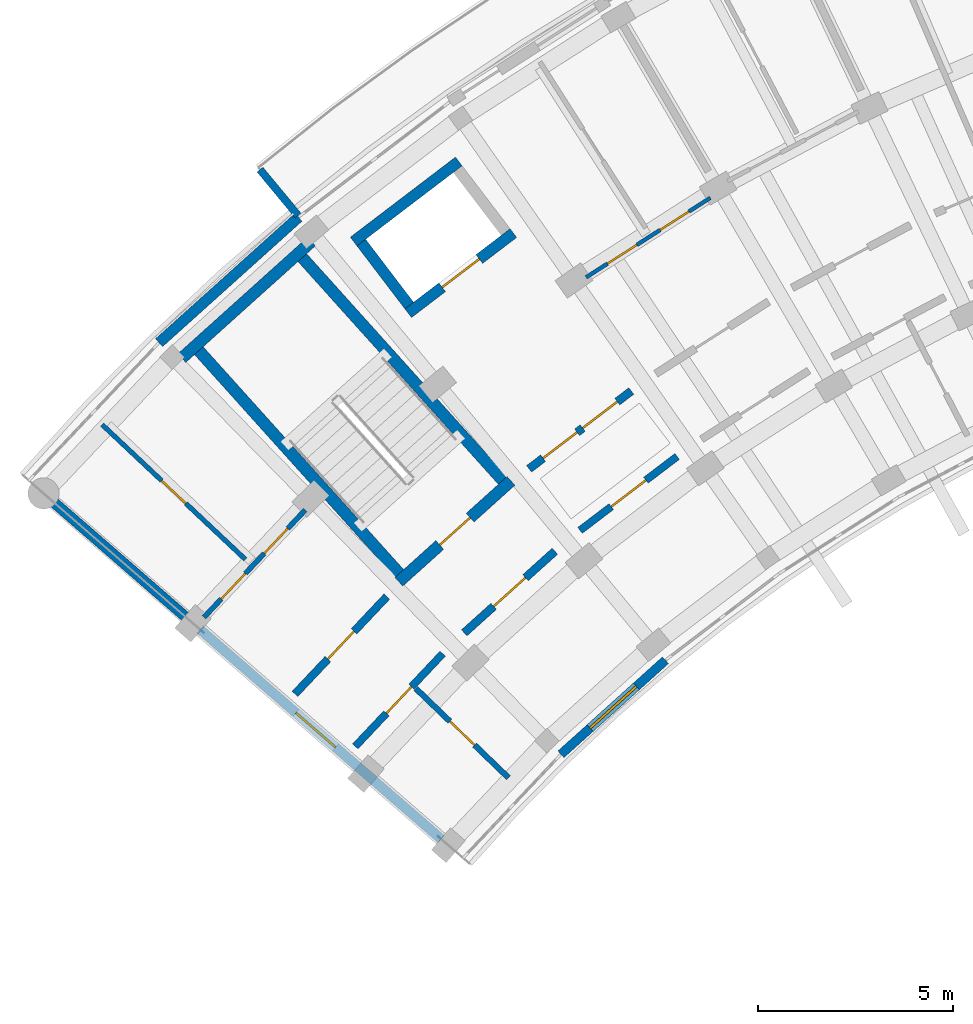
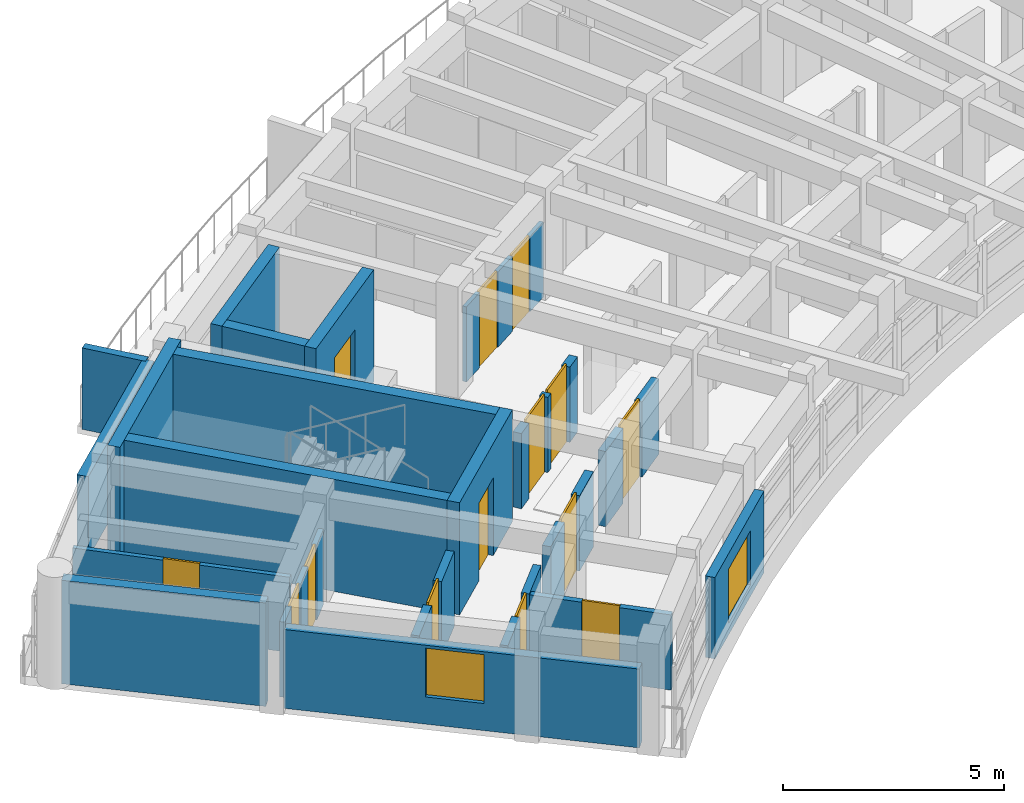
# One storey, part 27 of 54: 21 walls, 14 doors, 2 windows, 16 openings.
"""IFC4 building model written with IfcOpenShell, lengths in metres."""

import ifcopenshell
import ifcopenshell.guid

model = None  # the IFC model being written
_history = None  # IfcOwnerHistory: only IFC2X3 demands one
_inside = {}  # id of a spatial element -> (the spatial element, [elements in it])
_under = {}  # id of a project, library or spatial element -> (it, [spatial elements below it])
_declared = {}  # id of a project -> (the project, [libraries it declares])
_typed = {}  # id of a type object -> (the type object, [elements of that type])
_made_of = {}  # id of a material, layer set ... -> (it, [elements and type objects made of it])


def new_model(schema):
    """Start an empty IFC model of exactly this schema.

    Asked for "IFC4X3", IfcOpenShell would pick the latest addendum, in which some entities
    have other attributes; the version numbers below select the first issue.
    IFC2X3 requires an IfcOwnerHistory on every rooted entity: one is made here for all.
    """
    global model, _history
    if schema == "IFC4X3":
        model = ifcopenshell.file(schema_version=(4, 3, 0, 0))
    else:
        model = ifcopenshell.file(schema=schema)
    _inside.clear()
    _under.clear()
    _declared.clear()
    _typed.clear()
    _made_of.clear()
    _history = None
    if model.schema == "IFC2X3":
        org = make("IfcOrganization", Name="unknown")
        user = make(
            "IfcPersonAndOrganization",
            ThePerson=make("IfcPerson", FamilyName="unknown"),
            TheOrganization=org,
        )
        app = make(
            "IfcApplication",
            ApplicationDeveloper=org,
            Version="unknown",
            ApplicationFullName="unknown",
            ApplicationIdentifier="unknown",
        )
        _history = make(
            "IfcOwnerHistory",
            OwningUser=user,
            OwningApplication=app,
            ChangeAction="ADDED",
            CreationDate=0,
        )
    return model


def make(cls, **values):
    """One entity of the class cls with the attributes given. An attribute that is None is left unset."""
    return model.create_entity(
        cls, **{name: value for name, value in values.items() if value is not None}
    )


def rooted(cls, **values):
    """An entity with a GlobalId (a new one), such as an element, a storey or a relation."""
    return make(cls, GlobalId=ifcopenshell.guid.new(), OwnerHistory=_history, **values)


def si_unit(unit_type, name, prefix=None):
    """IfcSIUnit, for example si_unit("LENGTHUNIT", "METRE", prefix="MILLI")."""
    return make("IfcSIUnit", UnitType=unit_type, Prefix=prefix, Name=name)


def assignment(units):
    """IfcUnitAssignment: the units of a project."""
    return None if units is None else make("IfcUnitAssignment", Units=units)


def point(xyz):
    """IfcCartesianPoint."""
    return None if xyz is None else make("IfcCartesianPoint", Coordinates=xyz)


def direction(xyz):
    """IfcDirection."""
    return None if xyz is None else make("IfcDirection", DirectionRatios=xyz)


def frame(location, z_axis=None, x_axis=None):
    """IfcAxis2Placement3D, a coordinate frame: its origin and axes. An axis left out is left unset."""
    return make(
        "IfcAxis2Placement3D",
        Location=point(location),
        Axis=direction(z_axis),
        RefDirection=direction(x_axis),
    )


def frame_2d(location, x_axis=None):
    """IfcAxis2Placement2D, a coordinate frame in the plane: its origin and x axis."""
    return make(
        "IfcAxis2Placement2D", Location=point(location), RefDirection=direction(x_axis)
    )


def origin():
    """The frame at (0, 0, 0) with its axes left unset."""
    return frame((0.0, 0.0, 0.0))


def place(relative_to, where):
    """IfcLocalPlacement: puts the frame where relative to a parent placement (None: the world)."""
    return make(
        "IfcLocalPlacement", PlacementRelTo=relative_to, RelativePlacement=where
    )


def context(
    kind, dimensions, precision=None, world=None, true_north=None, identifier=None
):
    """IfcGeometricRepresentationContext, for example the 3D "Model" context."""
    return make(
        "IfcGeometricRepresentationContext",
        ContextIdentifier=identifier,
        ContextType=kind,
        CoordinateSpaceDimension=dimensions,
        Precision=precision,
        WorldCoordinateSystem=world,
        TrueNorth=true_north,
    )


def subcontext(parent, identifier, kind, view, scale=None):
    """IfcGeometricRepresentationSubContext, for example "Body" below "Model"."""
    return make(
        "IfcGeometricRepresentationSubContext",
        ContextIdentifier=identifier,
        ContextType=kind,
        ParentContext=parent,
        TargetScale=scale,
        TargetView=view,
    )


def project(units=None, contexts=None):
    """IfcProject with its units and contexts."""
    return rooted(
        "IfcProject",
        Name="project",
        RepresentationContexts=contexts,
        UnitsInContext=assignment(units),
    )


def spatial(cls, under=None, at=None, **own):
    """A site, building, storey or space (cls), placed at a placement, below another one or the project."""
    s = rooted(cls, ObjectPlacement=at, **own)
    if under is not None:
        _under.setdefault(under.id(), (under, []))[1].append(s)
    return s


def profile(cls, at=None, kind="AREA", **sizes):
    """A parametric profile (cls). Its sizes go by their IFC names, for example OverallWidth=200.0."""
    return make(cls, ProfileType=kind, Position=at, **sizes)


def rectangle(**sizes):
    """IfcRectangleProfileDef."""
    return profile("IfcRectangleProfileDef", **sizes)


def extrude(swept, where, along, depth):
    """IfcExtrudedAreaSolid: the profile swept, set in the frame where, extruded along a direction by depth."""
    return make(
        "IfcExtrudedAreaSolid",
        SweptArea=swept,
        Position=where,
        ExtrudedDirection=direction(along),
        Depth=depth,
    )


def shape(context_of_items, identifier, shape_type, items):
    """IfcShapeRepresentation: the items that make up one representation, for example the "Body"."""
    return make(
        "IfcShapeRepresentation",
        ContextOfItems=context_of_items,
        RepresentationIdentifier=identifier,
        RepresentationType=shape_type,
        Items=items,
    )


def material(Name=None, Category=None):
    """IfcMaterial."""
    return make("IfcMaterial", Name=Name, Category=Category)


def layer(
    of_material, thickness, ventilated=None, Name=None, Category=None, Priority=None
):
    """IfcMaterialLayer: one layer of a wall or slab, of a material (None: an air gap)."""
    return make(
        "IfcMaterialLayer",
        Material=of_material,
        LayerThickness=thickness,
        IsVentilated=ventilated,
        Name=Name,
        Category=Category,
        Priority=Priority,
    )


def layer_set(layers, Name=None):
    """IfcMaterialLayerSet."""
    return make("IfcMaterialLayerSet", MaterialLayers=layers, LayerSetName=Name)


def made_of(thing, what):
    """Note that an element or type object is made of a material, layer set ...; save() writes the relation."""
    if what is not None:
        _made_of.setdefault(what.id(), (what, []))[1].append(thing)
    return thing


def type_object(cls, material=None, **own):
    """A type object (cls), such as IfcWallType, which elements share."""
    return made_of(rooted(cls, **own), material)


def element(
    cls,
    number,
    at=None,
    inside=None,
    cuts=None,
    type_object=None,
    material=None,
    context=None,
    identifier="Body",
    shape_type=None,
    held_by="IfcProductDefinitionShape",
    body=None,
    shapes=None,
    **own,
):
    """One element of the class cls, such as IfcWall. Its Tag is "e" and its number.

    at: its placement. inside: the storey or other place that contains it. cuts: it is an
    opening in that element (IfcRelVoidsElement). A single representation is given by context,
    identifier, shape_type and body (its items); several are given by shapes. held_by: the class
    of the entity that holds the representations. save() writes the other relations.
    """
    e = rooted(cls, Tag="e%d" % number, ObjectPlacement=at, **own)
    if body is not None:
        shapes = [shape(context, identifier, shape_type, body)]
    if shapes is not None:
        e.Representation = make(held_by, Representations=shapes)
    if inside is not None:
        _inside.setdefault(inside.id(), (inside, []))[1].append(e)
    if cuts is not None:
        rooted(
            "IfcRelVoidsElement", RelatingBuildingElement=cuts, RelatedOpeningElement=e
        )
    if type_object is not None:
        _typed.setdefault(type_object.id(), (type_object, []))[1].append(e)
    return made_of(e, material)


def fill(opening, filler):
    """IfcRelFillsElement: the door or window that sits in an opening."""
    return rooted(
        "IfcRelFillsElement",
        RelatingOpeningElement=opening,
        RelatedBuildingElement=filler,
    )


def aggregate(whole, parts):
    """IfcRelAggregates: a whole, such as a stair, and the parts it consists of."""
    return rooted("IfcRelAggregates", RelatingObject=whole, RelatedObjects=parts)


def save(model, path):
    """Write the relations noted so far, then the file.

    IfcRelAggregates (storeys below a building ...), IfcRelContainedInSpatialStructure (elements
    in a storey), IfcRelDefinesByType, IfcRelAssociatesMaterial and IfcRelDeclares: one each for
    every whole, place, type object, material and project.
    """
    for whole, parts in _under.values():
        aggregate(whole, parts)
    for where, things in _inside.values():
        rooted(
            "IfcRelContainedInSpatialStructure",
            RelatedElements=things,
            RelatingStructure=where,
        )
    for kind, things in _typed.values():
        rooted("IfcRelDefinesByType", RelatedObjects=things, RelatingType=kind)
    for what, things in _made_of.values():
        rooted("IfcRelAssociatesMaterial", RelatedObjects=things, RelatingMaterial=what)
    for by, libraries in _declared.values():
        rooted("IfcRelDeclares", RelatingContext=by, RelatedDefinitions=libraries)
    model.write(path)


model = new_model("IFC4")

# Units and contexts
model_context = context("Model", 3, precision=1e-05, world=origin(), true_north=direction((0.0, 1.0)))
body_context = subcontext(model_context, "Body", "Model", "MODEL_VIEW")
ifc_project = project(units=[si_unit("LENGTHUNIT", "METRE"), si_unit("AREAUNIT", "SQUARE_METRE"), si_unit("VOLUMEUNIT", "CUBIC_METRE"), si_unit("PLANEANGLEUNIT", "RADIAN"), si_unit("MASSUNIT", "GRAM", prefix="KILO")], contexts=[model_context])

# Site, building, storey
site_placement = place(None, origin())
site = spatial("IfcSite", under=ifc_project, at=site_placement, CompositionType="ELEMENT")
building_placement = place(site_placement, origin())
building = spatial("IfcBuilding", under=site, at=building_placement, Name="Zimvara Arc Housing Community", CompositionType="ELEMENT")
storey_placement = place(building_placement, frame((0.0, 0.0, 20.5)))
storey = spatial("IfcBuildingStorey", under=building, at=storey_placement, Name="L06", CompositionType="ELEMENT", Elevation=20.5)

# Wall, opening, window
ifc_material_1 = material(Name="Board-Marked Fair-Faced Concrete C35/45", Category="concrete")
ifc_layer_1 = layer(ifc_material_1, 0.22998046875)
ifc_layer_set_1 = layer_set([ifc_layer_1], Name="Board-Marked Fair-Faced Concrete C35/45")
wall_type_1 = type_object("IfcWallType", Name="EWL-CONC-230", PredefinedType="SOLIDWALL", material=ifc_layer_set_1)
wall_1_placement = place(storey_placement, frame((13.84033203125, 76.436767578125, 0.0), z_axis=(0.0, 0.0, 1.0), x_axis=(0.743385092197, 0.668863666751, 0.0)))
wall_1 = element("IfcWall", 1, at=wall_1_placement, inside=storey, type_object=wall_type_1, Name="ewall:blkA:L06:in:b1", PredefinedType="SOLIDWALL", context=body_context, shape_type="SweptSolid", body=[
    extrude(rectangle(XDim=3.603759765625, YDim=0.22998046875, at=frame_2d((1.8017578125, 0.0))), origin(), (0.0, 0.0, 1.0), 2.25),
])
opening_1_placement = place(wall_1_placement, frame((1.001708984375, 0.0, 0.320068359375)))
opening_1 = element("IfcOpeningElement", 2, at=opening_1_placement, cuts=wall_1, Name="Opening W03", PredefinedType="OPENING", context=body_context, shape_type="SweptSolid", body=[
    extrude(rectangle(XDim=1.60009765625, YDim=1.5, at=frame_2d((0.800048828125, 0.75))), frame((0.0, 0.125, 0.0), z_axis=(0.0, -1.0, 0.0), x_axis=(1.0, 0.0, 0.0)), (0.0, 0.0, 1.0), 0.25),
])
ifc_material_2 = material(Name="Solar Control Low-E Double Glazing", Category="glass")
window_type_1 = type_object("IfcWindowType", Name="WIN-RES-1600x1500", PartitioningType="DOUBLE_PANEL_VERTICAL", PredefinedType="WINDOW", material=ifc_material_2)
window_1_placement = place(opening_1_placement, origin())
window_1 = element("IfcWindow", 3, at=window_1_placement, inside=storey, type_object=window_type_1, Name="win:blkA:L06:in:b1", OverallHeight=1.5, OverallWidth=1.60009765625, PartitioningType="DOUBLE_PANEL_VERTICAL", PredefinedType="WINDOW", context=body_context, shape_type="SweptSolid", body=[
    extrude(rectangle(XDim=1.60009765625, YDim=1.5, at=frame_2d((0.800048828125, 0.75))), frame((0.0, 0.030029296875, 0.0), z_axis=(0.0, -1.0, 0.0), x_axis=(1.0, 0.0, 0.0)), (0.0, 0.0, 1.0), 0.06005859375),
])
fill(opening_1, window_1)

ifc_material_3 = material(Name="Board-Marked Fair-Faced Concrete C35/45", Category="concrete")
ifc_layer_2 = layer(ifc_material_3, 0.2548828125)
ifc_layer_set_2 = layer_set([ifc_layer_2], Name="Board-Marked Fair-Faced Concrete C35/45")
wall_type_2 = type_object("IfcWallType", Name="EWL-CONC-255", PredefinedType="SOLIDWALL", material=ifc_layer_set_2)
wall_2_placement = place(storey_placement, frame((10.766357421875, 74.2587890625, 0.0), z_axis=(0.0, 0.0, 1.0), x_axis=(-0.754717680958, 0.656049710044, 0.0)))
wall_2 = element("IfcWall", 4, at=wall_2_placement, inside=storey, type_object=wall_type_2, Name="ewall:blkA:L06:g0", PredefinedType="SOLIDWALL", context=body_context, shape_type="SweptSolid", body=[
    extrude(rectangle(XDim=8.199951171875, YDim=0.2548828125, at=frame_2d((4.10009765625, 0.0))), origin(), (0.0, 0.0, 1.0), 2.179931640625),
])
opening_2_placement = place(wall_2_placement, frame((3.590087890625, 0.0, 0.75)))
opening_2 = element("IfcOpeningElement", 5, at=opening_2_placement, cuts=wall_2, Name="Opening W12", PredefinedType="OPENING", context=body_context, shape_type="SweptSolid", body=[
    extrude(rectangle(XDim=1.35009765625, YDim=1.35009765625, at=frame_2d((0.675048828125, 0.675048828125))), frame((0.0, 0.137451171875, 0.0), z_axis=(0.0, -1.0, 0.0), x_axis=(1.0, 0.0, 0.0)), (0.0, 0.0, 1.0), 0.27490234375),
])
ifc_material_4 = material(Name="Solar Control Low-E Double Glazing", Category="glass")
window_type_2 = type_object("IfcWindowType", Name="WIN-RES-1350x1350", PartitioningType="DOUBLE_PANEL_VERTICAL", PredefinedType="WINDOW", material=ifc_material_4)
window_2_placement = place(opening_2_placement, origin())
window_2 = element("IfcWindow", 6, at=window_2_placement, inside=storey, type_object=window_type_2, Name="win:blkA:L06:g0:w", OverallHeight=1.35009765625, OverallWidth=1.35009765625, PartitioningType="DOUBLE_PANEL_VERTICAL", PredefinedType="WINDOW", context=body_context, shape_type="SweptSolid", body=[
    extrude(rectangle(XDim=1.35009765625, YDim=1.35009765625, at=frame_2d((0.675048828125, 0.675048828125))), frame((0.0, 0.030029296875, 0.0), z_axis=(0.0, -1.0, 0.0), x_axis=(1.0, 0.0, 0.0)), (0.0, 0.0, 1.0), 0.06005859375),
])
fill(opening_2, window_2)

# Walls
ifc_material_5 = material(Name="Board-Marked Fair-Faced Concrete C35/45", Category="concrete")
ifc_layer_3 = layer(ifc_material_5, 0.195068359375)
ifc_layer_set_3 = layer_set([ifc_layer_3], Name="Board-Marked Fair-Faced Concrete C35/45")
wall_type_3 = type_object("IfcWallType", Name="EWL-PARA-195", PredefinedType="PARAPET", material=ifc_layer_set_3)
wall_3_placement = place(storey_placement, frame((7.09228515625, 90.25732421875, 0.0), z_axis=(0.0, 0.0, 1.0), x_axis=(-0.637952984874, 0.770075313908, 0.0)))
element("IfcWall", 7, at=wall_3_placement, inside=storey, type_object=wall_type_3, Name="finwall:blkA:L06:out:b2", PredefinedType="PARAPET", context=body_context, shape_type="SweptSolid", body=[
    extrude(rectangle(XDim=1.530029296875, YDim=0.195068359375, at=frame_2d((0.76513671875, 0.0))), origin(), (0.0, 0.0, 1.0), 2.25),
])
ifc_material_6 = material(Name="Board-Marked Fair-Faced Concrete C35/45", Category="concrete")
ifc_layer_4 = layer(ifc_material_6, 0.27197265625)
ifc_layer_set_4 = layer_set([ifc_layer_4], Name="Board-Marked Fair-Faced Concrete C35/45")
wall_type_4 = type_object("IfcWallType", Name="EWL-VAR-22", PredefinedType="SOLIDWALL", material=ifc_layer_set_4)
wall_4_placement = place(storey_placement, frame((3.528076171875, 86.996826171875, 0.0), z_axis=(0.0, 0.0, 1.0), x_axis=(0.743387539862, 0.668860946369, 0.0)))
element("IfcWall", 8, at=wall_4_placement, inside=storey, type_object=wall_type_4, Name="ewall:blkA:L06:out:b1", PredefinedType="SOLIDWALL", context=body_context, shape_type="SweptSolid", body=[
    extrude(rectangle(XDim=4.80908203125, YDim=0.27197265625, at=frame_2d((2.404541015625, 0.0))), origin(), (0.0, 0.0, 1.0), 2.25),
])

# Wall, opening, door
ifc_material_7 = material(Name="Concrete C35/45", Category="concrete")
ifc_layer_5 = layer(ifc_material_7, 0.2099609375)
ifc_layer_set_5 = layer_set([ifc_layer_5], Name="Concrete C35/45")
wall_type_5 = type_object("IfcWallType", Name="IWL-CCF-210", PredefinedType="SOLIDWALL", material=ifc_layer_set_5)
wall_5_placement = place(storey_placement, frame((11.357177734375, 79.5517578125, 0.0), z_axis=(0.0, 0.0, 1.0), x_axis=(0.743387266925, 0.668861249718, 0.0)))
wall_5 = element("IfcWall", 9, at=wall_5_placement, inside=storey, type_object=wall_type_5, Name="iwall:blkA:L06:ccf_div:b1", PredefinedType="SOLIDWALL", context=body_context, shape_type="SweptSolid", body=[
    extrude(rectangle(XDim=3.12841796875, YDim=0.2099609375, at=frame_2d((1.564208984375, 0.0))), origin(), (0.0, 0.0, 1.0), 2.080078125),
])
opening_3_placement = place(wall_5_placement, frame((1.014404296875, 0.0, 0.0)))
opening_3 = element("IfcOpeningElement", 10, at=opening_3_placement, cuts=wall_5, Name="Opening FD-CCF1", PredefinedType="OPENING", context=body_context, shape_type="SweptSolid", body=[
    extrude(rectangle(XDim=1.10009765625, YDim=2.14990234375, at=frame_2d((0.550048828125, 1.074951171875))), frame((0.0, 0.114990234375, 0.0), z_axis=(0.0, -1.0, 0.0), x_axis=(1.0, 0.0, 0.0)), (0.0, 0.0, 1.0), 0.22998046875),
])
ifc_material_8 = material(Name="Anodised Aluminium AW-6063", Category="aluminium")
door_type_1 = type_object("IfcDoorType", Name="IDR-CCF-1100x2150", OperationType="NOTDEFINED", PredefinedType="DOOR", material=ifc_material_8)
door_1_placement = place(opening_3_placement, origin())
door_1 = element("IfcDoor", 11, at=door_1_placement, inside=storey, type_object=door_type_1, Name="idoor:blkA:L06:ccf_in:b1", OperationType="SINGLE_SWING_RIGHT", OverallHeight=2.14990234375, OverallWidth=1.10009765625, PredefinedType="DOOR", context=body_context, shape_type="SweptSolid", body=[
    extrude(rectangle(XDim=1.10009765625, YDim=2.14990234375, at=frame_2d((0.550048828125, 1.074951171875))), frame((0.0, 0.02490234375, 0.0), z_axis=(0.0, -1.0, 0.0), x_axis=(1.0, 0.0, 0.0)), (0.0, 0.0, 1.0), 0.050048828125),
])
fill(opening_3, door_1)

# Wall, openings, doors
wall_6_placement = place(storey_placement, frame((13.021240234375, 83.758544921875, 0.0), z_axis=(0.0, 0.0, 1.0), x_axis=(0.795498026433, 0.605956178235, 0.0)))
wall_6 = element("IfcWall", 12, at=wall_6_placement, inside=storey, type_object=wall_type_5, Name="iwall:blkA:L06:ll_div:b2", PredefinedType="SOLIDWALL", context=body_context, shape_type="SweptSolid", body=[
    extrude(rectangle(XDim=3.296142578125, YDim=0.2099609375, at=frame_2d((1.64794921875, 0.0))), origin(), (0.0, 0.0, 1.0), 2.080078125),
])
opening_4_placement = place(wall_6_placement, frame((0.449951171875, 0.0, 0.0)))
opening_4 = element("IfcOpeningElement", 13, at=opening_4_placement, cuts=wall_6, Name="Opening FD-CCF1", PredefinedType="OPENING", context=body_context, shape_type="SweptSolid", body=[
    extrude(rectangle(XDim=1.10009765625, YDim=2.14990234375, at=frame_2d((0.550048828125, 1.074951171875))), frame((0.0, 0.114990234375, 0.0), z_axis=(0.0, -1.0, 0.0), x_axis=(1.0, 0.0, 0.0)), (0.0, 0.0, 1.0), 0.22998046875),
])
opening_5_placement = place(wall_6_placement, frame((1.72607421875, 0.0, 0.0)))
opening_5 = element("IfcOpeningElement", 14, at=opening_5_placement, cuts=wall_6, Name="Opening D07", PredefinedType="OPENING", context=body_context, shape_type="SweptSolid", body=[
    extrude(rectangle(XDim=1.1201171875, YDim=2.14990234375, at=frame_2d((0.56005859375, 1.074951171875))), frame((0.0, 0.114990234375, 0.0), z_axis=(0.0, -1.0, 0.0), x_axis=(1.0, 0.0, 0.0)), (0.0, 0.0, 1.0), 0.22998046875),
])
ifc_material_9 = material(Name="Mozambican Hardwood", Category="wood")
door_type_2 = type_object("IfcDoorType", Name="IDR-AMN-1120x2150", OperationType="NOTDEFINED", PredefinedType="DOOR", material=ifc_material_9)
door_2_placement = place(opening_5_placement, origin())
door_2 = element("IfcDoor", 15, at=door_2_placement, inside=storey, type_object=door_type_2, Name="idoor:blkA:L06:rs_in:b2", OperationType="SINGLE_SWING_RIGHT", OverallHeight=2.14990234375, OverallWidth=1.1201171875, PredefinedType="DOOR", context=body_context, shape_type="SweptSolid", body=[
    extrude(rectangle(XDim=1.1201171875, YDim=2.14990234375, at=frame_2d((0.56005859375, 1.074951171875))), frame((0.0, 0.02490234375, 0.0), z_axis=(0.0, -1.0, 0.0), x_axis=(1.0, 0.0, 0.0)), (0.0, 0.0, 1.0), 0.050048828125),
])
fill(opening_5, door_2)
door_3_placement = place(opening_4_placement, origin())
door_3 = element("IfcDoor", 16, at=door_3_placement, inside=storey, type_object=door_type_1, Name="idoor:blkA:L06:ll_in:b2", OperationType="SINGLE_SWING_LEFT", OverallHeight=2.14990234375, OverallWidth=1.10009765625, PredefinedType="DOOR", context=body_context, shape_type="SweptSolid", body=[
    extrude(rectangle(XDim=1.10009765625, YDim=2.14990234375, at=frame_2d((0.550048828125, 1.074951171875))), frame((0.0, 0.02490234375, 0.0), z_axis=(0.0, -1.0, 0.0), x_axis=(1.0, 0.0, 0.0)), (0.0, 0.0, 1.0), 0.050048828125),
])
fill(opening_4, door_3)

# Wall, opening, door
ifc_material_10 = material(Name="Concrete C35/45", Category="concrete")
ifc_layer_6 = layer(ifc_material_10, 0.18994140625)
ifc_layer_set_6 = layer_set([ifc_layer_6], Name="Concrete C35/45")
wall_type_6 = type_object("IfcWallType", Name="IWL-CORR-190", PredefinedType="SOLIDWALL", material=ifc_layer_set_6)
wall_7_placement = place(storey_placement, frame((8.561279296875, 76.638916015625, 0.0), z_axis=(0.0, 0.0, 1.0), x_axis=(0.686307658735, 0.727311348434, 0.0)))
wall_7 = element("IfcWall", 17, at=wall_7_placement, inside=storey, type_object=wall_type_6, Name="iwall:blkA:L06:corr_in:b0", PredefinedType="SOLIDWALL", context=body_context, shape_type="SweptSolid", body=[
    extrude(rectangle(XDim=3.268798828125, YDim=0.18994140625, at=frame_2d((1.63427734375, 0.0))), origin(), (0.0, 0.0, 1.0), 2.080078125),
])
opening_6_placement = place(wall_7_placement, frame((1.164306640625, 0.0, 0.0)))
opening_6 = element("IfcOpeningElement", 18, at=opening_6_placement, cuts=wall_7, Name="Opening D03", PredefinedType="OPENING", context=body_context, shape_type="SweptSolid", body=[
    extrude(rectangle(XDim=0.93994140625, YDim=2.10009765625, at=frame_2d((0.469970703125, 1.050048828125))), frame((0.0, 0.10498046875, 0.0), z_axis=(0.0, -1.0, 0.0), x_axis=(1.0, 0.0, 0.0)), (0.0, 0.0, 1.0), 0.2099609375),
])
ifc_material_11 = material(Name="Mozambican Hardwood", Category="wood")
door_type_3 = type_object("IfcDoorType", Name="IDR-RM-0940x2100", OperationType="NOTDEFINED", PredefinedType="DOOR", material=ifc_material_11)
door_4_placement = place(opening_6_placement, origin())
door_4 = element("IfcDoor", 19, at=door_4_placement, inside=storey, type_object=door_type_3, Name="idoor:blkA:L06:in_rm:b0", OperationType="SINGLE_SWING_LEFT", OverallHeight=2.10009765625, OverallWidth=0.93994140625, PredefinedType="DOOR", context=body_context, shape_type="SweptSolid", body=[
    extrude(rectangle(XDim=0.93994140625, YDim=2.10009765625, at=frame_2d((0.469970703125, 1.050048828125))), frame((0.0, 0.02490234375, 0.0), z_axis=(0.0, -1.0, 0.0), x_axis=(1.0, 0.0, 0.0)), (0.0, 0.0, 1.0), 0.050048828125),
])
fill(opening_6, door_4)

wall_8_placement = place(storey_placement, frame((14.3291015625, 82.179931640625, 0.0), z_axis=(0.0, 0.0, 1.0), x_axis=(0.795501577908, 0.605951515838, 0.0)))
wall_8 = element("IfcWall", 20, at=wall_8_placement, inside=storey, type_object=wall_type_6, Name="iwall:blkA:L06:ra_div:b2", PredefinedType="SOLIDWALL", context=body_context, shape_type="SweptSolid", body=[
    extrude(rectangle(XDim=3.128662109375, YDim=0.18994140625, at=frame_2d((1.564453125, 0.0))), origin(), (0.0, 0.0, 1.0), 2.080078125),
])
opening_7_placement = place(wall_8_placement, frame((1.00439453125, 0.0, 0.0)))
opening_7 = element("IfcOpeningElement", 21, at=opening_7_placement, cuts=wall_8, Name="Opening D07", PredefinedType="OPENING", context=body_context, shape_type="SweptSolid", body=[
    extrude(rectangle(XDim=1.1201171875, YDim=2.14990234375, at=frame_2d((0.56005859375, 1.074951171875))), frame((0.0, 0.10498046875, 0.0), z_axis=(0.0, -1.0, 0.0), x_axis=(1.0, 0.0, 0.0)), (0.0, 0.0, 1.0), 0.2099609375),
])
door_5_placement = place(opening_7_placement, origin())
door_5 = element("IfcDoor", 22, at=door_5_placement, inside=storey, type_object=door_type_2, Name="idoor:blkA:L06:ra_d:b2", OperationType="SINGLE_SWING_LEFT", OverallHeight=2.14990234375, OverallWidth=1.1201171875, PredefinedType="DOOR", context=body_context, shape_type="SweptSolid", body=[
    extrude(rectangle(XDim=1.1201171875, YDim=2.14990234375, at=frame_2d((0.56005859375, 1.074951171875))), frame((0.0, 0.02490234375, 0.0), z_axis=(0.0, -1.0, 0.0), x_axis=(1.0, 0.0, 0.0)), (0.0, 0.0, 1.0), 0.050048828125),
])
fill(opening_7, door_5)

ifc_material_12 = material(Name="Concrete C35/45", Category="concrete")
ifc_layer_7 = layer(ifc_material_12, 0.199951171875)
ifc_layer_set_7 = layer_set([ifc_layer_7], Name="Concrete C35/45")
wall_type_7 = type_object("IfcWallType", Name="IWL-CORR-200", PredefinedType="SOLIDWALL", material=ifc_layer_set_7)
wall_9_placement = place(storey_placement, frame((7.01416015625, 77.98388671875, 0.0), z_axis=(0.0, 0.0, 1.0), x_axis=(0.686310507227, 0.727308660522, 0.0)))
wall_9 = element("IfcWall", 23, at=wall_9_placement, inside=storey, type_object=wall_type_7, Name="iwall:blkA:L06:corr_out:b0", PredefinedType="SOLIDWALL", context=body_context, shape_type="SweptSolid", body=[
    extrude(rectangle(XDim=3.43603515625, YDim=0.199951171875, at=frame_2d((1.718017578125, 0.0))), origin(), (0.0, 0.0, 1.0), 2.080078125),
])
opening_8_placement = place(wall_9_placement, frame((1.22802734375, 0.0, 0.0)))
opening_8 = element("IfcOpeningElement", 24, at=opening_8_placement, cuts=wall_9, Name="Opening FD-FL1", PredefinedType="OPENING", context=body_context, shape_type="SweptSolid", body=[
    extrude(rectangle(XDim=0.97998046875, YDim=2.14990234375, at=frame_2d((0.489990234375, 1.074951171875))), frame((0.0, 0.10986328125, 0.0), z_axis=(0.0, -1.0, 0.0), x_axis=(1.0, 0.0, 0.0)), (0.0, 0.0, 1.0), 0.219970703125),
])
ifc_material_13 = material(Name="Mozambican Hardwood", Category="wood")
door_type_4 = type_object("IfcDoorType", Name="IDR-FLAT-0980x2150", OperationType="NOTDEFINED", PredefinedType="DOOR", material=ifc_material_13)
door_6_placement = place(opening_8_placement, origin())
door_6 = element("IfcDoor", 25, at=door_6_placement, inside=storey, type_object=door_type_4, Name="idoor:blkA:L06:flat:b0", OperationType="SINGLE_SWING_RIGHT", OverallHeight=2.14990234375, OverallWidth=0.97998046875, PredefinedType="DOOR", context=body_context, shape_type="SweptSolid", body=[
    extrude(rectangle(XDim=0.97998046875, YDim=2.14990234375, at=frame_2d((0.489990234375, 1.074951171875))), frame((0.0, 0.02490234375, 0.0), z_axis=(0.0, -1.0, 0.0), x_axis=(1.0, 0.0, 0.0)), (0.0, 0.0, 1.0), 0.050048828125),
])
fill(opening_8, door_6)

# Wall, openings, doors
ifc_material_14 = material(Name="Painted Acoustic Plasterboard")
ifc_layer_8 = layer(ifc_material_14, 0.10009765625)
ifc_layer_set_8 = layer_set([ifc_layer_8], Name="Painted Acoustic Plasterboard")
wall_type_8 = type_object("IfcWallType", Name="IWL-PART-100", PredefinedType="PARTITIONING", material=ifc_layer_set_8)
wall_10_placement = place(storey_placement, frame((14.482421875, 88.671630859375, 0.0), z_axis=(0.0, 0.0, 1.0), x_axis=(0.842245628842, 0.539093962771, 0.0)))
wall_10 = element("IfcWall", 26, at=wall_10_placement, inside=storey, type_object=wall_type_8, Name="iwall:blkA:L06:srv:b3", PredefinedType="PARTITIONING", context=body_context, shape_type="SweptSolid", body=[
    extrude(rectangle(XDim=3.78515625, YDim=0.10009765625, at=frame_2d((1.892578125, 0.0))), origin(), (0.0, 0.0, 1.0), 2.080078125),
])
opening_9_placement = place(wall_10_placement, frame((0.64990234375, 0.0, 0.0)))
opening_9 = element("IfcOpeningElement", 27, at=opening_9_placement, cuts=wall_10, Name="Opening D01", PredefinedType="OPENING", context=body_context, shape_type="SweptSolid", body=[
    extrude(rectangle(XDim=0.89990234375, YDim=2.10009765625, at=frame_2d((0.449951171875, 1.050048828125))), frame((0.0, 0.06005859375, 0.0), z_axis=(0.0, -1.0, 0.0), x_axis=(1.0, 0.0, 0.0)), (0.0, 0.0, 1.0), 0.1201171875),
])
opening_10_placement = place(wall_10_placement, frame((2.255126953125, 0.0, 0.0)))
opening_10 = element("IfcOpeningElement", 28, at=opening_10_placement, cuts=wall_10, Name="Opening D05", PredefinedType="OPENING", context=body_context, shape_type="SweptSolid", body=[
    extrude(rectangle(XDim=0.8798828125, YDim=2.10009765625, at=frame_2d((0.43994140625, 1.050048828125))), frame((0.0, 0.06005859375, 0.0), z_axis=(0.0, -1.0, 0.0), x_axis=(1.0, 0.0, 0.0)), (0.0, 0.0, 1.0), 0.1201171875),
])
ifc_material_15 = material(Name="Mozambican Hardwood", Category="wood")
door_type_5 = type_object("IfcDoorType", Name="IDR-RM-0900x2100", OperationType="NOTDEFINED", PredefinedType="DOOR", material=ifc_material_15)
door_7_placement = place(opening_9_placement, origin())
door_7 = element("IfcDoor", 29, at=door_7_placement, inside=storey, type_object=door_type_5, Name="idoor:blkA:L06:kit_liv:b3", OperationType="SINGLE_SWING_RIGHT", OverallHeight=2.10009765625, OverallWidth=0.89990234375, PredefinedType="DOOR", context=body_context, shape_type="SweptSolid", body=[
    extrude(rectangle(XDim=0.89990234375, YDim=2.10009765625, at=frame_2d((0.449951171875, 1.050048828125))), frame((0.0, 0.02490234375, 0.0), z_axis=(0.0, -1.0, 0.0), x_axis=(1.0, 0.0, 0.0)), (0.0, 0.0, 1.0), 0.050048828125),
])
fill(opening_9, door_7)
ifc_material_16 = material(Name="Mozambican Hardwood", Category="wood")
door_type_6 = type_object("IfcDoorType", Name="IDR-WC-0880x2100", OperationType="NOTDEFINED", PredefinedType="DOOR", material=ifc_material_16)
door_8_placement = place(opening_10_placement, origin())
door_8 = element("IfcDoor", 30, at=door_8_placement, inside=storey, type_object=door_type_6, Name="idoor:blkA:L06:bath_d:b3", OperationType="SINGLE_SWING_LEFT", OverallHeight=2.10009765625, OverallWidth=0.8798828125, PredefinedType="DOOR", context=body_context, shape_type="SweptSolid", body=[
    extrude(rectangle(XDim=0.8798828125, YDim=2.10009765625, at=frame_2d((0.43994140625, 1.050048828125))), frame((0.0, 0.02490234375, 0.0), z_axis=(0.0, -1.0, 0.0), x_axis=(1.0, 0.0, 0.0)), (0.0, 0.0, 1.0), 0.050048828125),
])
fill(opening_10, door_8)

# Wall, opening, door
ifc_material_17 = material(Name="Painted Acoustic Plasterboard")
ifc_layer_9 = layer(ifc_material_17, 0.1201171875)
ifc_layer_set_9 = layer_set([ifc_layer_9], Name="Painted Acoustic Plasterboard")
wall_type_9 = type_object("IfcWallType", Name="IWL-PART-120", PredefinedType="PARTITIONING", material=ifc_layer_set_9)
wall_11_placement = place(storey_placement, frame((5.7431640625, 81.433837890625, 0.0), z_axis=(0.0, 0.0, 1.0), x_axis=(-0.72831636485, 0.685241032551, 0.0)))
wall_11 = element("IfcWall", 31, at=wall_11_placement, inside=storey, type_object=wall_type_9, Name="iwall:blkA:L06:bed_div:b0", PredefinedType="PARTITIONING", context=body_context, shape_type="SweptSolid", body=[
    extrude(rectangle(XDim=5.050048828125, YDim=0.1201171875, at=frame_2d((2.52490234375, 0.0))), origin(), (0.0, 0.0, 1.0), 2.080078125),
])
opening_11_placement = place(wall_11_placement, frame((2.10009765625, 0.0, 0.0)))
opening_11 = element("IfcOpeningElement", 32, at=opening_11_placement, cuts=wall_11, Name="Opening D11", PredefinedType="OPENING", context=body_context, shape_type="SweptSolid", body=[
    extrude(rectangle(XDim=0.85009765625, YDim=2.10009765625, at=frame_2d((0.425048828125, 1.050048828125))), frame((0.0, 0.070068359375, 0.0), z_axis=(0.0, -1.0, 0.0), x_axis=(1.0, 0.0, 0.0)), (0.0, 0.0, 1.0), 0.14013671875),
])
ifc_material_18 = material(Name="Mozambican Hardwood", Category="wood")
door_type_7 = type_object("IfcDoorType", Name="IDR-MOD-850x2060", OperationType="NOTDEFINED", PredefinedType="DOOR", material=ifc_material_18)
door_9_placement = place(opening_11_placement, origin())
door_9 = element("IfcDoor", 33, at=door_9_placement, inside=storey, type_object=door_type_7, Name="idoor:blkA:L06:bed_d:b0", OperationType="SINGLE_SWING_LEFT", OverallHeight=2.10009765625, OverallWidth=0.85009765625, PredefinedType="DOOR", context=body_context, shape_type="SweptSolid", body=[
    extrude(rectangle(XDim=0.85009765625, YDim=2.10009765625, at=frame_2d((0.425048828125, 1.050048828125))), frame((0.0, 0.02490234375, 0.0), z_axis=(0.0, -1.0, 0.0), x_axis=(1.0, 0.0, 0.0)), (0.0, 0.0, 1.0), 0.050048828125),
])
fill(opening_11, door_9)

# Wall, openings, doors
ifc_material_19 = material(Name="Painted Acoustic Plasterboard")
ifc_layer_10 = layer(ifc_material_19, 0.1298828125)
ifc_layer_set_10 = layer_set([ifc_layer_10], Name="Painted Acoustic Plasterboard")
wall_type_10 = type_object("IfcWallType", Name="IWL-PART-130", PredefinedType="PARTITIONING", material=ifc_layer_set_10)
wall_12_placement = place(storey_placement, frame((4.677978515625, 79.948486328125, 0.0), z_axis=(0.0, 0.0, 1.0), x_axis=(0.686331812627, 0.72728855551, 0.0)))
wall_12 = element("IfcWall", 34, at=wall_12_placement, inside=storey, type_object=wall_type_10, Name="iwall:blkA:L06:srv:b0", PredefinedType="PARTITIONING", context=body_context, shape_type="SweptSolid", body=[
    extrude(rectangle(XDim=3.78515625, YDim=0.1298828125, at=frame_2d((1.892578125, 0.0))), origin(), (0.0, 0.0, 1.0), 2.080078125),
])
opening_12_placement = place(wall_12_placement, frame((0.64990234375, 0.0, 0.0)))
opening_12 = element("IfcOpeningElement", 35, at=opening_12_placement, cuts=wall_12, Name="Opening D01", PredefinedType="OPENING", context=body_context, shape_type="SweptSolid", body=[
    extrude(rectangle(XDim=0.89990234375, YDim=2.10009765625, at=frame_2d((0.449951171875, 1.050048828125))), frame((0.0, 0.074951171875, 0.0), z_axis=(0.0, -1.0, 0.0), x_axis=(1.0, 0.0, 0.0)), (0.0, 0.0, 1.0), 0.14990234375),
])
opening_13_placement = place(wall_12_placement, frame((2.255126953125, 0.0, 0.0)))
opening_13 = element("IfcOpeningElement", 36, at=opening_13_placement, cuts=wall_12, Name="Opening D05", PredefinedType="OPENING", context=body_context, shape_type="SweptSolid", body=[
    extrude(rectangle(XDim=0.8798828125, YDim=2.10009765625, at=frame_2d((0.43994140625, 1.050048828125))), frame((0.0, 0.074951171875, 0.0), z_axis=(0.0, -1.0, 0.0), x_axis=(1.0, 0.0, 0.0)), (0.0, 0.0, 1.0), 0.14990234375),
])
door_10_placement = place(opening_12_placement, origin())
door_10 = element("IfcDoor", 37, at=door_10_placement, inside=storey, type_object=door_type_5, Name="idoor:blkA:L06:kit_liv:b0", OperationType="SINGLE_SWING_LEFT", OverallHeight=2.10009765625, OverallWidth=0.89990234375, PredefinedType="DOOR", context=body_context, shape_type="SweptSolid", body=[
    extrude(rectangle(XDim=0.89990234375, YDim=2.10009765625, at=frame_2d((0.449951171875, 1.050048828125))), frame((0.0, 0.02490234375, 0.0), z_axis=(0.0, -1.0, 0.0), x_axis=(1.0, 0.0, 0.0)), (0.0, 0.0, 1.0), 0.050048828125),
])
fill(opening_12, door_10)
door_11_placement = place(opening_13_placement, origin())
door_11 = element("IfcDoor", 38, at=door_11_placement, inside=storey, type_object=door_type_6, Name="idoor:blkA:L06:bath_d:b0", OperationType="SINGLE_SWING_RIGHT", OverallHeight=2.10009765625, OverallWidth=0.8798828125, PredefinedType="DOOR", context=body_context, shape_type="SweptSolid", body=[
    extrude(rectangle(XDim=0.8798828125, YDim=2.10009765625, at=frame_2d((0.43994140625, 1.050048828125))), frame((0.0, 0.02490234375, 0.0), z_axis=(0.0, -1.0, 0.0), x_axis=(1.0, 0.0, 0.0)), (0.0, 0.0, 1.0), 0.050048828125),
])
fill(opening_13, door_11)

# Wall, opening, door
ifc_material_20 = material(Name="Painted Acoustic Plasterboard")
ifc_layer_11 = layer(ifc_material_20, 0.14501953125)
ifc_layer_set_11 = layer_set([ifc_layer_11], Name="Painted Acoustic Plasterboard")
wall_type_11 = type_object("IfcWallType", Name="IWL-WET-145", PredefinedType="PARTITIONING", material=ifc_layer_set_11)
wall_13_placement = place(storey_placement, frame((12.49169921875, 75.83251953125, 0.0), z_axis=(0.0, 0.0, 1.0), x_axis=(-0.720043614644, 0.693928809757, 0.0)))
wall_13 = element("IfcWall", 39, at=wall_13_placement, inside=storey, type_object=wall_type_11, Name="iwall:blkA:L06:ens:b0", PredefinedType="PARTITIONING", context=body_context, shape_type="SweptSolid", body=[
    extrude(rectangle(XDim=3.300048828125, YDim=0.14501953125, at=frame_2d((1.64990234375, 0.0))), origin(), (0.0, 0.0, 1.0), 2.080078125),
])
opening_14_placement = place(wall_13_placement, frame((1.2099609375, 0.0, 0.0)))
opening_14 = element("IfcOpeningElement", 40, at=opening_14_placement, cuts=wall_13, Name="Opening D05", PredefinedType="OPENING", context=body_context, shape_type="SweptSolid", body=[
    extrude(rectangle(XDim=0.8798828125, YDim=2.10009765625, at=frame_2d((0.43994140625, 1.050048828125))), frame((0.0, 0.08251953125, 0.0), z_axis=(0.0, -1.0, 0.0), x_axis=(1.0, 0.0, 0.0)), (0.0, 0.0, 1.0), 0.1650390625),
])
door_12_placement = place(opening_14_placement, origin())
door_12 = element("IfcDoor", 41, at=door_12_placement, inside=storey, type_object=door_type_6, Name="idoor:blkA:L06:ens_d:b0", OperationType="SINGLE_SWING_RIGHT", OverallHeight=2.10009765625, OverallWidth=0.8798828125, PredefinedType="DOOR", context=body_context, shape_type="SweptSolid", body=[
    extrude(rectangle(XDim=0.8798828125, YDim=2.10009765625, at=frame_2d((0.43994140625, 1.050048828125))), frame((0.0, 0.02490234375, 0.0), z_axis=(0.0, -1.0, 0.0), x_axis=(1.0, 0.0, 0.0)), (0.0, 0.0, 1.0), 0.050048828125),
])
fill(opening_14, door_12)

ifc_material_21 = material(Name="Concrete C40/50", Category="concrete")
ifc_layer_12 = layer(ifc_material_21, 0.280029296875)
ifc_layer_set_12 = layer_set([ifc_layer_12], Name="Concrete C40/50")
wall_type_12 = type_object("IfcWallType", Name="WL-CORE-280", PredefinedType="SHEAR", material=ifc_layer_set_12)
wall_14_placement = place(storey_placement, frame((12.615966796875, 89.80712890625, 0.0), z_axis=(0.0, 0.0, 1.0), x_axis=(-0.795474703455, -0.605986795371, 0.0)))
wall_14 = element("IfcWall", 42, at=wall_14_placement, inside=storey, type_object=wall_type_12, Name="lwall:LF-A1:L06:front", PredefinedType="SHEAR", context=body_context, shape_type="SweptSolid", body=[
    extrude(rectangle(XDim=3.389892578125, YDim=0.280029296875, at=frame_2d((1.69482421875, 0.0))), origin(), (0.0, 0.0, 1.0), 3.10009765625),
])
opening_15_placement = place(wall_14_placement, frame((1.094970703125, 0.0, 0.0)))
opening_15 = element("IfcOpeningElement", 43, at=opening_15_placement, cuts=wall_14, Name="Opening LD-LF-A1", PredefinedType="OPENING", context=body_context, shape_type="SweptSolid", body=[
    extrude(rectangle(XDim=1.199951171875, YDim=2.14990234375, at=frame_2d((0.60009765625, 1.074951171875))), frame((0.0, 0.14990234375, 0.0), z_axis=(0.0, -1.0, 0.0), x_axis=(1.0, 0.0, 0.0)), (0.0, 0.0, 1.0), 0.300048828125),
])
ifc_material_22 = material(Name="Anodised Aluminium AW-6063", Category="aluminium")
door_type_8 = type_object("IfcDoorType", Name="IDR-LD-1200x2150", OperationType="DOUBLE_DOOR_SLIDING", PredefinedType="DOOR", material=ifc_material_22)
door_13_placement = place(opening_15_placement, origin())
door_13 = element("IfcDoor", 44, at=door_13_placement, inside=storey, type_object=door_type_8, Name="Lift LF-A1 Sliding Landing Door L06", OperationType="DOUBLE_DOOR_SLIDING", OverallHeight=2.14990234375, OverallWidth=1.199951171875, PredefinedType="DOOR", context=body_context, shape_type="SweptSolid", body=[
    extrude(rectangle(XDim=1.199951171875, YDim=2.14990234375, at=frame_2d((0.60009765625, 1.074951171875))), frame((0.0, 0.02490234375, 0.0), z_axis=(0.0, -1.0, 0.0), x_axis=(1.0, 0.0, 0.0)), (0.0, 0.0, 1.0), 0.050048828125),
])
fill(opening_15, door_13)

# Walls
wall_15_placement = place(storey_placement, frame((11.216064453125, 91.644775390625, 0.0), z_axis=(0.0, 0.0, 1.0), x_axis=(-0.795439986025, -0.606032365994, 0.0)))
element("IfcWall", 45, at=wall_15_placement, inside=storey, type_object=wall_type_12, Name="lwall:LF-A1:L06:back", PredefinedType="SHEAR", context=body_context, shape_type="SweptSolid", body=[
    extrude(rectangle(XDim=3.389892578125, YDim=0.280029296875, at=frame_2d((1.69482421875, 0.0))), origin(), (0.0, 0.0, 1.0), 3.10009765625),
])
wall_16_placement = place(storey_placement, frame((9.94580078125, 87.948974609375, 0.0), z_axis=(0.0, 0.0, 1.0), x_axis=(-0.605891019062, 0.795547656033, 0.0)))
element("IfcWall", 46, at=wall_16_placement, inside=storey, type_object=wall_type_12, Name="lwall:LF-A1:L06:right", PredefinedType="SHEAR", context=body_context, shape_type="SweptSolid", body=[
    extrude(rectangle(XDim=2.030029296875, YDim=0.280029296875, at=frame_2d((1.01513671875, 0.0))), origin(), (0.0, 0.0, 1.0), 3.10009765625),
])

# Wall, opening, door
ifc_material_23 = material(Name="Concrete C40/50", Category="concrete")
ifc_layer_13 = layer(ifc_material_23, 0.300048828125)
ifc_layer_set_13 = layer_set([ifc_layer_13], Name="Concrete C40/50")
wall_type_13 = type_object("IfcWallType", Name="WL-CORE-300", PredefinedType="SHEAR", material=ifc_layer_set_13)
wall_17_placement = place(storey_placement, frame((12.556884765625, 83.4501953125, 0.0), z_axis=(0.0, 0.0, 1.0), x_axis=(-0.743375696158, -0.668874109501, 0.0)))
wall_17 = element("IfcWall", 47, at=wall_17_placement, inside=storey, type_object=wall_type_13, Name="cwall:ST-A1:L06:near", PredefinedType="SHEAR", context=body_context, shape_type="SweptSolid", body=[
    extrude(rectangle(XDim=3.8701171875, YDim=0.300048828125, at=frame_2d((1.93505859375, 0.0))), origin(), (0.0, 0.0, 1.0), 3.10009765625),
])
opening_16_placement = place(wall_17_placement, frame((1.409912109375, 0.0, 0.0)))
opening_16 = element("IfcOpeningElement", 48, at=opening_16_placement, cuts=wall_17, Name="Opening FD-ST2", PredefinedType="OPENING", context=body_context, shape_type="SweptSolid", body=[
    extrude(rectangle(XDim=1.050048828125, YDim=2.14990234375, at=frame_2d((0.52490234375, 1.074951171875))), frame((0.0, 0.159912109375, 0.0), z_axis=(0.0, -1.0, 0.0), x_axis=(1.0, 0.0, 0.0)), (0.0, 0.0, 1.0), 0.320068359375),
])
ifc_material_24 = material(Name="Anodised Aluminium AW-6063", Category="aluminium")
door_type_9 = type_object("IfcDoorType", Name="IDR-ST-1050x2150", OperationType="NOTDEFINED", PredefinedType="DOOR", material=ifc_material_24)
door_14_placement = place(opening_16_placement, origin())
door_14 = element("IfcDoor", 49, at=door_14_placement, inside=storey, type_object=door_type_9, Name="idoor:ST-A1:L06:entry", OperationType="SINGLE_SWING_RIGHT", OverallHeight=2.14990234375, OverallWidth=1.050048828125, PredefinedType="DOOR", context=body_context, shape_type="SweptSolid", body=[
    extrude(rectangle(XDim=1.050048828125, YDim=2.14990234375, at=frame_2d((0.52490234375, 1.074951171875))), frame((0.0, 0.02490234375, 0.0), z_axis=(0.0, -1.0, 0.0), x_axis=(1.0, 0.0, 0.0)), (0.0, 0.0, 1.0), 0.050048828125),
])
fill(opening_16, door_14)

# Walls
wall_18_placement = place(storey_placement, frame((7.435546875, 89.59033203125, 0.0), z_axis=(0.0, 0.0, 1.0), x_axis=(-0.743400052815, -0.668847038922, 0.0)))
element("IfcWall", 50, at=wall_18_placement, inside=storey, type_object=wall_type_13, Name="cwall:ST-A1:L06:far", PredefinedType="SHEAR", context=body_context, shape_type="SweptSolid", body=[
    extrude(rectangle(XDim=4.469970703125, YDim=0.300048828125, at=frame_2d((2.23486328125, 0.0))), origin(), (0.0, 0.0, 1.0), 3.10009765625),
])
wall_19_placement = place(storey_placement, frame((12.344970703125, 83.461181640625, 0.0), z_axis=(0.0, 0.0, 1.0), x_axis=(-0.668868253964, 0.743380964808, 0.0)))
element("IfcWall", 51, at=wall_19_placement, inside=storey, type_object=wall_type_13, Name="cwall:ST-A1:L06:left", PredefinedType="SHEAR", context=body_context, shape_type="SweptSolid", body=[
    extrude(rectangle(XDim=7.68994140625, YDim=0.300048828125, at=frame_2d((3.844970703125, 0.0))), origin(), (0.0, 0.0, 1.0), 3.10009765625),
])
wall_20_placement = place(storey_placement, frame((9.691162109375, 81.073486328125, 0.0), z_axis=(0.0, 0.0, 1.0), x_axis=(-0.668885797871, 0.743365179038, 0.0)))
element("IfcWall", 52, at=wall_20_placement, inside=storey, type_object=wall_type_13, Name="cwall:ST-A1:L06:right", PredefinedType="SHEAR", context=body_context, shape_type="SweptSolid", body=[
    extrude(rectangle(XDim=7.690185546875, YDim=0.300048828125, at=frame_2d((3.84521484375, 0.0))), origin(), (0.0, 0.0, 1.0), 3.10009765625),
])
ifc_material_25 = material(Name="Concrete C40/50", Category="concrete")
ifc_layer_14 = layer(ifc_material_25, 0.27001953125)
ifc_layer_set_14 = layer_set([ifc_layer_14], Name="Concrete C40/50")
wall_type_14 = type_object("IfcWallType", Name="WL-SHEAR-270", PredefinedType="SHEAR", material=ifc_layer_set_14)
wall_21_placement = place(storey_placement, frame((4.2607421875, 79.9140625, 0.0), z_axis=(0.0, 0.0, 1.0), x_axis=(-0.754703505217, 0.65606601742, 0.0)))
element("IfcWall", 53, at=wall_21_placement, inside=storey, type_object=wall_type_14, Name="swall:blkA:L06:west", PredefinedType="SHEAR", context=body_context, shape_type="SweptSolid", body=[
    extrude(rectangle(XDim=4.719970703125, YDim=0.27001953125, at=frame_2d((2.35986328125, 0.0))), origin(), (0.0, 0.0, 1.0), 2.860107421875),
])

save(model, "model.ifc")
